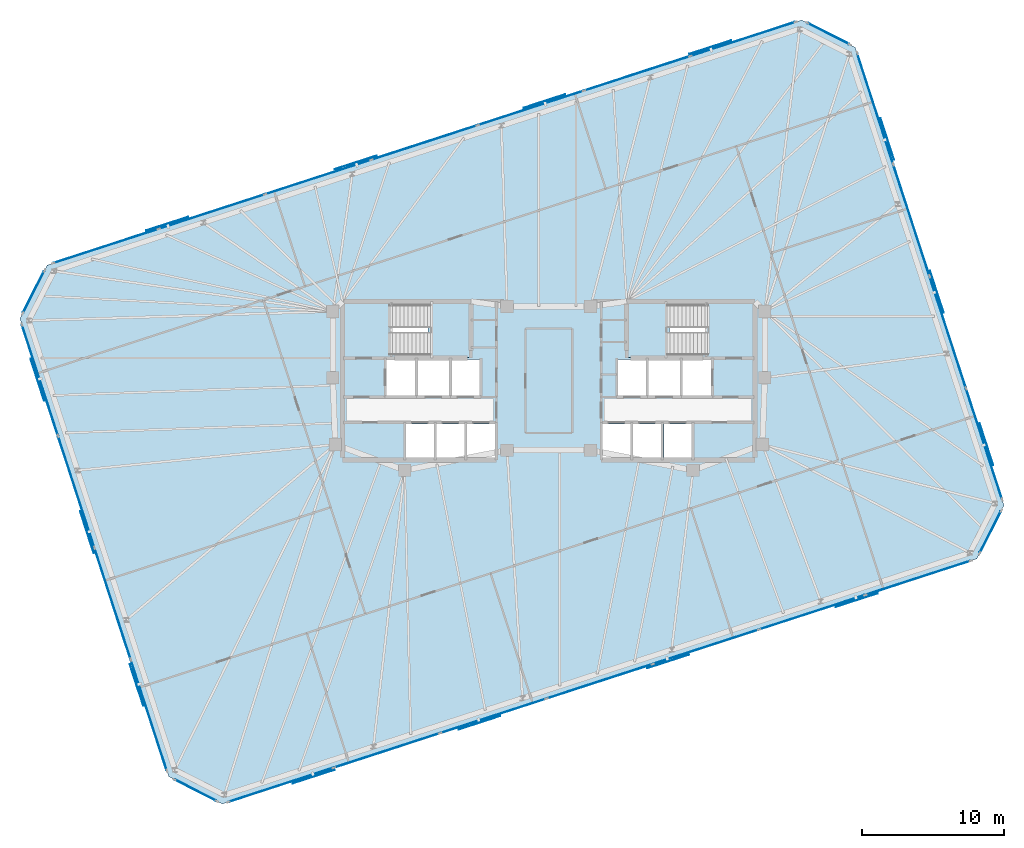
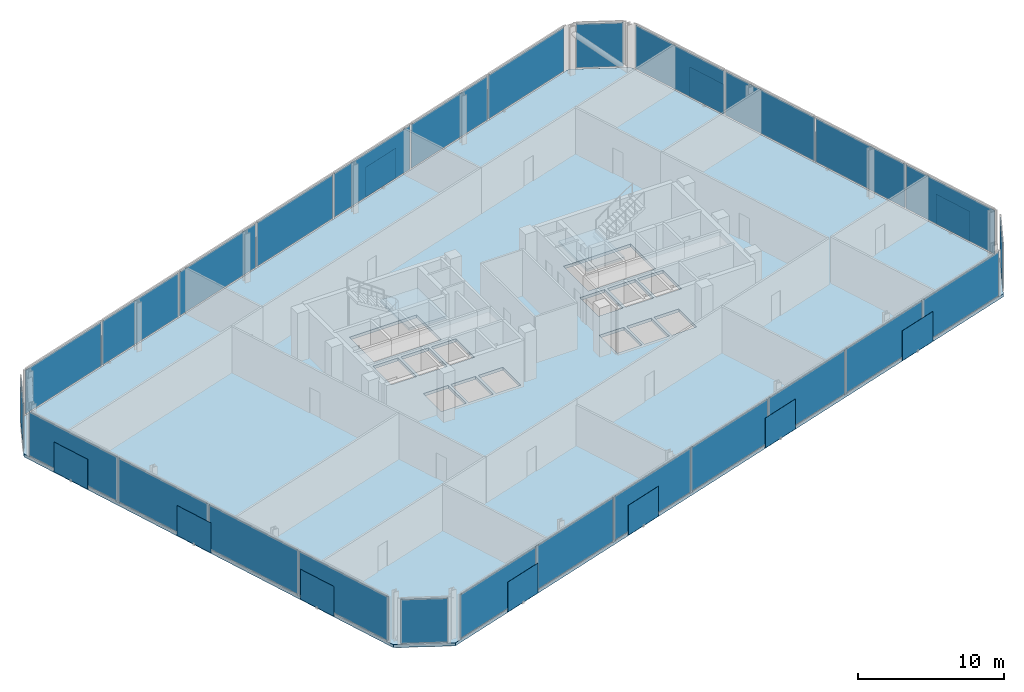
# One storey, part 9 of 14: 40 plates, 3 slabs, 10 elements without a shape of their own.
"""IFC4 building model written with IfcOpenShell, lengths in metres."""

from ifc_helpers import new_model, si_unit, direction, frame, origin, origin_2d, place, context, subcontext, project, spatial, polyline, rectangle, outline, extrude, material, layer, layer_set, type_object, element, aggregate, save


model = new_model("IFC4")

# Units and contexts
model_context = context("Model", 3, precision=1e-05, world=origin(), true_north=direction((0.0, 1.0)))
body_context = subcontext(model_context, "Body", "Model", "MODEL_VIEW")
ifc_project = project(units=[si_unit("LENGTHUNIT", "METRE"), si_unit("AREAUNIT", "SQUARE_METRE"), si_unit("VOLUMEUNIT", "CUBIC_METRE"), si_unit("PLANEANGLEUNIT", "RADIAN"), si_unit("MASSUNIT", "GRAM", prefix="KILO")], contexts=[model_context])

# Site, building, storey
site_placement = place(None, origin())
site = spatial("IfcSite", under=ifc_project, at=site_placement, CompositionType="ELEMENT")
building_placement = place(site_placement, origin())
building = spatial("IfcBuilding", under=site, at=building_placement, Name="Menara Jurai Vektor", CompositionType="ELEMENT")
storey_placement = place(building_placement, frame((0.0, 0.0, 206.800048828125)))
storey = spatial("IfcBuildingStorey", under=building, at=storey_placement, Name="L54", CompositionType="ELEMENT", Elevation=206.800048828125)

# Curtain wall, plate
ifc_material_1 = material(Name="Anodised Pale Aluminium & Low-E Double Glazing", Category="aluminium")
curtain_wall_type = type_object("IfcCurtainWallType", Name="CW-SKY", PredefinedType="NOTDEFINED", material=ifc_material_1)
curtain_wall_1_placement = place(storey_placement, origin())
curtain_wall_1 = element("IfcCurtainWall", 1, at=curtain_wall_1_placement, inside=storey, type_object=curtain_wall_type, Name="Unitised Curtain Wall L54 F02", PredefinedType="NOTDEFINED")
ifc_material_2 = material(Name="Insulated Pale Aluminium Spandrel Panel", Category="aluminium")
ifc_layer_1 = layer(ifc_material_2, 0.06005859375)
ifc_layer_set_1 = layer_set([ifc_layer_1], Name="Insulated Pale Aluminium Spandrel Panel")
plate_type_1 = type_object("IfcPlateType", Name="CW-PNL-SP", PredefinedType="CURTAIN_PANEL", material=ifc_layer_set_1)
plate_1_placement = place(storey_placement, frame((31.1728515625, -10.678466796875, 0.10986328125), z_axis=(0.0, 0.0, 1.0), x_axis=(0.453988579828, 0.89100750243, 0.0)))
plate_1 = element("IfcPlate", 2, at=plate_1_placement, type_object=plate_type_1, Name="CW-06 panel 1.1", PredefinedType="CURTAIN_PANEL", context=body_context, shape_type="SweptSolid", body=[
    extrude(rectangle(XDim=3.2626953125, YDim=0.06005859375, at=origin_2d()), origin(), (0.0, 0.0, 1.0), 3.655029296875),
])
aggregate(curtain_wall_1, [plate_1])

curtain_wall_2_placement = place(storey_placement, origin())
curtain_wall_2 = element("IfcCurtainWall", 3, at=curtain_wall_2_placement, inside=storey, type_object=curtain_wall_type, Name="Unitised Curtain Wall L54 F04", PredefinedType="NOTDEFINED")
plate_2_placement = place(storey_placement, frame((19.7392578125, 24.510498046875, 0.10986328125), z_axis=(0.0, 0.0, 1.0), x_axis=(-0.89100750243, 0.453988579828, 0.0)))
plate_2 = element("IfcPlate", 4, at=plate_2_placement, type_object=plate_type_1, Name="CW-06 panel 1.1", PredefinedType="CURTAIN_PANEL", context=body_context, shape_type="SweptSolid", body=[
    extrude(rectangle(XDim=3.2626953125, YDim=0.06005859375, at=origin_2d()), origin(), (0.0, 0.0, 1.0), 3.655029296875),
])
aggregate(curtain_wall_2, [plate_2])

curtain_wall_3_placement = place(storey_placement, origin())
curtain_wall_3 = element("IfcCurtainWall", 5, at=curtain_wall_3_placement, inside=storey, type_object=curtain_wall_type, Name="Unitised Curtain Wall L54 F06", PredefinedType="NOTDEFINED")
plate_3_placement = place(storey_placement, frame((-36.373046875, 6.278564453125, 0.10986328125), z_axis=(0.0, 0.0, 1.0), x_axis=(-0.453988579828, -0.89100750243, 0.0)))
plate_3 = element("IfcPlate", 6, at=plate_3_placement, type_object=plate_type_1, Name="CW-06 panel 1.1", PredefinedType="CURTAIN_PANEL", context=body_context, shape_type="SweptSolid", body=[
    extrude(rectangle(XDim=3.2626953125, YDim=0.06005859375, at=origin_2d()), origin(), (0.0, 0.0, 1.0), 3.655029296875),
])
aggregate(curtain_wall_3, [plate_3])

curtain_wall_4_placement = place(storey_placement, origin())
curtain_wall_4 = element("IfcCurtainWall", 7, at=curtain_wall_4_placement, inside=storey, type_object=curtain_wall_type, Name="Unitised Curtain Wall L54 F08", PredefinedType="NOTDEFINED")
plate_4_placement = place(storey_placement, frame((-24.939453125, -28.91064453125, 0.10986328125), z_axis=(0.0, 0.0, 1.0), x_axis=(0.89100750243, -0.453988579828, 0.0)))
plate_4 = element("IfcPlate", 8, at=plate_4_placement, type_object=plate_type_1, Name="CW-06 panel 1.1", PredefinedType="CURTAIN_PANEL", context=body_context, shape_type="SweptSolid", body=[
    extrude(rectangle(XDim=3.2626953125, YDim=0.06005859375, at=origin_2d()), origin(), (0.0, 0.0, 1.0), 3.655029296875),
])
aggregate(curtain_wall_4, [plate_4])

# Curtain wall, plates
curtain_wall_5_placement = place(storey_placement, origin())
curtain_wall_5 = element("IfcCurtainWall", 9, at=curtain_wall_5_placement, inside=storey, type_object=curtain_wall_type, Name="Unitised Curtain Wall L54 F01", PredefinedType="NOTDEFINED")
ifc_material_3 = material(Name="Low-E Solar-Control Double Glazed Unit", Category="glass")
ifc_layer_2 = layer(ifc_material_3, 0.0419921875)
ifc_layer_set_2 = layer_set([ifc_layer_2], Name="Low-E Solar-Control Double Glazed Unit")
plate_type_2 = type_object("IfcPlateType", Name="CW-SKY-PNL", PredefinedType="CURTAIN_PANEL", material=ifc_layer_set_2)
plate_5_placement = place(storey_placement, frame((-18.908935546875, -28.5283203125, 0.10986328125), z_axis=(0.0, 0.0, 1.0), x_axis=(0.951056402641, 0.309017344167, 0.0)))
plate_5 = element("IfcPlate", 10, at=plate_5_placement, type_object=plate_type_2, Name="CW-06 panel 1.1", PredefinedType="CURTAIN_PANEL", context=body_context, shape_type="SweptSolid", body=[
    extrude(rectangle(XDim=7.726318359375, YDim=0.0419921875, at=origin_2d()), origin(), (0.0, 0.0, 1.0), 3.655029296875),
])
plate_6_placement = place(storey_placement, frame((-11.429931640625, -26.098388671875, 0.10986328125), z_axis=(0.0, 0.0, 1.0), x_axis=(0.951056402641, 0.309017344167, 0.0)))
plate_6 = element("IfcPlate", 11, at=plate_6_placement, type_object=plate_type_2, Name="CW-06 panel 2.1", PredefinedType="CURTAIN_PANEL", context=body_context, shape_type="SweptSolid", body=[
    extrude(rectangle(XDim=7.781494140625, YDim=0.0419921875, at=origin_2d()), origin(), (0.0, 0.0, 1.0), 3.655029296875),
])
plate_7_placement = place(storey_placement, frame((-3.9248046875, -23.65966796875, 0.10986328125), z_axis=(0.0, 0.0, 1.0), x_axis=(0.951056402641, 0.309017344167, 0.0)))
plate_7 = element("IfcPlate", 12, at=plate_7_placement, type_object=plate_type_2, Name="CW-06 panel 3.1", PredefinedType="CURTAIN_PANEL", context=body_context, shape_type="SweptSolid", body=[
    extrude(rectangle(XDim=7.781494140625, YDim=0.0419921875, at=origin_2d()), origin(), (0.0, 0.0, 1.0), 3.655029296875),
])
plate_8_placement = place(storey_placement, frame((3.580322265625, -21.22119140625, 0.10986328125), z_axis=(0.0, 0.0, 1.0), x_axis=(0.951056402641, 0.309017344167, 0.0)))
plate_8 = element("IfcPlate", 13, at=plate_8_placement, type_object=plate_type_2, Name="CW-06 panel 4.1", PredefinedType="CURTAIN_PANEL", context=body_context, shape_type="SweptSolid", body=[
    extrude(rectangle(XDim=7.781494140625, YDim=0.0419921875, at=origin_2d()), origin(), (0.0, 0.0, 1.0), 3.655029296875),
])
plate_9_placement = place(storey_placement, frame((11.08544921875, -18.782470703125, 0.10986328125), z_axis=(0.0, 0.0, 1.0), x_axis=(0.951056402641, 0.309017344167, 0.0)))
plate_9 = element("IfcPlate", 14, at=plate_9_placement, type_object=plate_type_2, Name="CW-06 panel 5.1", PredefinedType="CURTAIN_PANEL", context=body_context, shape_type="SweptSolid", body=[
    extrude(rectangle(XDim=7.781494140625, YDim=0.0419921875, at=origin_2d()), origin(), (0.0, 0.0, 1.0), 3.655029296875),
])
plate_10_placement = place(storey_placement, frame((18.5908203125, -16.343994140625, 0.10986328125), z_axis=(0.0, 0.0, 1.0), x_axis=(0.951056402641, 0.309017344167, 0.0)))
plate_10 = element("IfcPlate", 15, at=plate_10_placement, type_object=plate_type_2, Name="CW-06 panel 6.1", PredefinedType="CURTAIN_PANEL", context=body_context, shape_type="SweptSolid", body=[
    extrude(rectangle(XDim=7.781494140625, YDim=0.0419921875, at=origin_2d()), origin(), (0.0, 0.0, 1.0), 3.655029296875),
])
plate_11_placement = place(storey_placement, frame((26.06982421875, -13.913818359375, 0.10986328125), z_axis=(0.0, 0.0, 1.0), x_axis=(0.951056402641, 0.309017344167, 0.0)))
plate_11 = element("IfcPlate", 16, at=plate_11_placement, type_object=plate_type_2, Name="CW-06 panel 7.1", PredefinedType="CURTAIN_PANEL", context=body_context, shape_type="SweptSolid", body=[
    extrude(rectangle(XDim=7.726318359375, YDim=0.0419921875, at=origin_2d()), origin(), (0.0, 0.0, 1.0), 3.655029296875),
])
aggregate(curtain_wall_5, [plate_5, plate_6, plate_7, plate_8, plate_9, plate_10, plate_11])

curtain_wall_6_placement = place(storey_placement, origin())
curtain_wall_6 = element("IfcCurtainWall", 17, at=curtain_wall_6_placement, inside=storey, type_object=curtain_wall_type, Name="Unitised Curtain Wall L54 F03", PredefinedType="NOTDEFINED")
plate_12_placement = place(storey_placement, frame((30.72607421875, -4.44921875, 0.10986328125), z_axis=(0.0, 0.0, 1.0), x_axis=(-0.309016481464, 0.95105668295, 0.0)))
plate_12 = element("IfcPlate", 18, at=plate_12_placement, type_object=plate_type_2, Name="CW-06 panel 1.1", PredefinedType="CURTAIN_PANEL", context=body_context, shape_type="SweptSolid", body=[
    extrude(rectangle(XDim=8.14501953125, YDim=0.0419921875, at=origin_2d()), origin(), (0.0, 0.0, 1.0), 3.655029296875),
])
plate_13_placement = place(storey_placement, frame((28.166748046875, 3.427978515625, 0.10986328125), z_axis=(0.0, 0.0, 1.0), x_axis=(-0.309016481464, 0.95105668295, 0.0)))
plate_13 = element("IfcPlate", 19, at=plate_13_placement, type_object=plate_type_2, Name="CW-06 panel 2.1", PredefinedType="CURTAIN_PANEL", context=body_context, shape_type="SweptSolid", body=[
    extrude(rectangle(XDim=8.199951171875, YDim=0.0419921875, at=origin_2d()), origin(), (0.0, 0.0, 1.0), 3.655029296875),
])
plate_14_placement = place(storey_placement, frame((25.598876953125, 11.331298828125, 0.10986328125), z_axis=(0.0, 0.0, 1.0), x_axis=(-0.309016481464, 0.95105668295, 0.0)))
plate_14 = element("IfcPlate", 20, at=plate_14_placement, type_object=plate_type_2, Name="CW-06 panel 3.1", PredefinedType="CURTAIN_PANEL", context=body_context, shape_type="SweptSolid", body=[
    extrude(rectangle(XDim=8.199951171875, YDim=0.0419921875, at=origin_2d()), origin(), (0.0, 0.0, 1.0), 3.655029296875),
])
plate_15_placement = place(storey_placement, frame((23.039306640625, 19.208251953125, 0.10986328125), z_axis=(0.0, 0.0, 1.0), x_axis=(-0.309016481464, 0.95105668295, 0.0)))
plate_15 = element("IfcPlate", 21, at=plate_15_placement, type_object=plate_type_2, Name="CW-06 panel 4.1", PredefinedType="CURTAIN_PANEL", context=body_context, shape_type="SweptSolid", body=[
    extrude(rectangle(XDim=8.14501953125, YDim=0.0419921875, at=origin_2d()), origin(), (0.0, 0.0, 1.0), 3.655029296875),
])
aggregate(curtain_wall_6, [plate_12, plate_13, plate_14, plate_15])

curtain_wall_7_placement = place(storey_placement, origin())
curtain_wall_7 = element("IfcCurtainWall", 22, at=curtain_wall_7_placement, inside=storey, type_object=curtain_wall_type, Name="Unitised Curtain Wall L54 F05", PredefinedType="NOTDEFINED")
plate_16_placement = place(storey_placement, frame((13.708984375, 24.12841796875, 0.10986328125), z_axis=(0.0, 0.0, 1.0), x_axis=(-0.951056402641, -0.309017344167, 0.0)))
plate_16 = element("IfcPlate", 23, at=plate_16_placement, type_object=plate_type_2, Name="CW-06 panel 1.1", PredefinedType="CURTAIN_PANEL", context=body_context, shape_type="SweptSolid", body=[
    extrude(rectangle(XDim=7.726318359375, YDim=0.0419921875, at=origin_2d()), origin(), (0.0, 0.0, 1.0), 3.655029296875),
])
plate_17_placement = place(storey_placement, frame((6.22998046875, 21.6982421875, 0.10986328125), z_axis=(0.0, 0.0, 1.0), x_axis=(-0.951056402641, -0.309017344167, 0.0)))
plate_17 = element("IfcPlate", 24, at=plate_17_placement, type_object=plate_type_2, Name="CW-06 panel 2.1", PredefinedType="CURTAIN_PANEL", context=body_context, shape_type="SweptSolid", body=[
    extrude(rectangle(XDim=7.781494140625, YDim=0.0419921875, at=origin_2d()), origin(), (0.0, 0.0, 1.0), 3.655029296875),
])
plate_18_placement = place(storey_placement, frame((-1.275146484375, 19.259765625, 0.10986328125), z_axis=(0.0, 0.0, 1.0), x_axis=(-0.951056402641, -0.309017344167, 0.0)))
plate_18 = element("IfcPlate", 25, at=plate_18_placement, type_object=plate_type_2, Name="CW-06 panel 3.1", PredefinedType="CURTAIN_PANEL", context=body_context, shape_type="SweptSolid", body=[
    extrude(rectangle(XDim=7.781494140625, YDim=0.0419921875, at=origin_2d()), origin(), (0.0, 0.0, 1.0), 3.655029296875),
])
plate_19_placement = place(storey_placement, frame((-8.7802734375, 16.821044921875, 0.10986328125), z_axis=(0.0, 0.0, 1.0), x_axis=(-0.951056402641, -0.309017344167, 0.0)))
plate_19 = element("IfcPlate", 26, at=plate_19_placement, type_object=plate_type_2, Name="CW-06 panel 4.1", PredefinedType="CURTAIN_PANEL", context=body_context, shape_type="SweptSolid", body=[
    extrude(rectangle(XDim=7.781494140625, YDim=0.0419921875, at=origin_2d()), origin(), (0.0, 0.0, 1.0), 3.655029296875),
])
plate_20_placement = place(storey_placement, frame((-16.28564453125, 14.382568359375, 0.10986328125), z_axis=(0.0, 0.0, 1.0), x_axis=(-0.951056402641, -0.309017344167, 0.0)))
plate_20 = element("IfcPlate", 27, at=plate_20_placement, type_object=plate_type_2, Name="CW-06 panel 5.1", PredefinedType="CURTAIN_PANEL", context=body_context, shape_type="SweptSolid", body=[
    extrude(rectangle(XDim=7.781494140625, YDim=0.0419921875, at=origin_2d()), origin(), (0.0, 0.0, 1.0), 3.655029296875),
])
plate_21_placement = place(storey_placement, frame((-23.790771484375, 11.944091796875, 0.10986328125), z_axis=(0.0, 0.0, 1.0), x_axis=(-0.951056402641, -0.309017344167, 0.0)))
plate_21 = element("IfcPlate", 28, at=plate_21_placement, type_object=plate_type_2, Name="CW-06 panel 6.1", PredefinedType="CURTAIN_PANEL", context=body_context, shape_type="SweptSolid", body=[
    extrude(rectangle(XDim=7.781494140625, YDim=0.0419921875, at=origin_2d()), origin(), (0.0, 0.0, 1.0), 3.655029296875),
])
plate_22_placement = place(storey_placement, frame((-31.269775390625, 9.513916015625, 0.10986328125), z_axis=(0.0, 0.0, 1.0), x_axis=(-0.951056402641, -0.309017344167, 0.0)))
plate_22 = element("IfcPlate", 29, at=plate_22_placement, type_object=plate_type_2, Name="CW-06 panel 7.1", PredefinedType="CURTAIN_PANEL", context=body_context, shape_type="SweptSolid", body=[
    extrude(rectangle(XDim=7.726318359375, YDim=0.0419921875, at=origin_2d()), origin(), (0.0, 0.0, 1.0), 3.655029296875),
])
aggregate(curtain_wall_7, [plate_16, plate_17, plate_18, plate_19, plate_20, plate_21, plate_22])

curtain_wall_8_placement = place(storey_placement, origin())
curtain_wall_8 = element("IfcCurtainWall", 30, at=curtain_wall_8_placement, inside=storey, type_object=curtain_wall_type, Name="Unitised Curtain Wall L54 F07", PredefinedType="NOTDEFINED")
plate_23_placement = place(storey_placement, frame((-35.926025390625, 0.04931640625, 0.10986328125), z_axis=(0.0, 0.0, 1.0), x_axis=(0.309016481464, -0.95105668295, 0.0)))
plate_23 = element("IfcPlate", 31, at=plate_23_placement, type_object=plate_type_2, Name="CW-06 panel 1.1", PredefinedType="CURTAIN_PANEL", context=body_context, shape_type="SweptSolid", body=[
    extrude(rectangle(XDim=8.14501953125, YDim=0.0419921875, at=origin_2d()), origin(), (0.0, 0.0, 1.0), 3.655029296875),
])
plate_24_placement = place(storey_placement, frame((-33.36669921875, -7.827880859375, 0.10986328125), z_axis=(0.0, 0.0, 1.0), x_axis=(0.309016481464, -0.95105668295, 0.0)))
plate_24 = element("IfcPlate", 32, at=plate_24_placement, type_object=plate_type_2, Name="CW-06 panel 2.1", PredefinedType="CURTAIN_PANEL", context=body_context, shape_type="SweptSolid", body=[
    extrude(rectangle(XDim=8.199951171875, YDim=0.0419921875, at=origin_2d()), origin(), (0.0, 0.0, 1.0), 3.655029296875),
])
plate_25_placement = place(storey_placement, frame((-30.798828125, -15.731201171875, 0.10986328125), z_axis=(0.0, 0.0, 1.0), x_axis=(0.309016481464, -0.95105668295, 0.0)))
plate_25 = element("IfcPlate", 33, at=plate_25_placement, type_object=plate_type_2, Name="CW-06 panel 3.1", PredefinedType="CURTAIN_PANEL", context=body_context, shape_type="SweptSolid", body=[
    extrude(rectangle(XDim=8.199951171875, YDim=0.0419921875, at=origin_2d()), origin(), (0.0, 0.0, 1.0), 3.655029296875),
])
plate_26_placement = place(storey_placement, frame((-28.2392578125, -23.6083984375, 0.10986328125), z_axis=(0.0, 0.0, 1.0), x_axis=(0.309016481464, -0.95105668295, 0.0)))
plate_26 = element("IfcPlate", 34, at=plate_26_placement, type_object=plate_type_2, Name="CW-06 panel 4.1", PredefinedType="CURTAIN_PANEL", context=body_context, shape_type="SweptSolid", body=[
    extrude(rectangle(XDim=8.14501953125, YDim=0.0419921875, at=origin_2d()), origin(), (0.0, 0.0, 1.0), 3.655029296875),
])
aggregate(curtain_wall_8, [plate_23, plate_24, plate_25, plate_26])

# Plates
ifc_material_4 = material(Name="Anodised Pale Aluminium Perforated Screen", Category="aluminium")
ifc_layer_3 = layer(ifc_material_4, 0.02197265625)
ifc_layer_set_3 = layer_set([ifc_layer_3], Name="Anodised Pale Aluminium Perforated Screen")
plate_type_3 = type_object("IfcPlateType", Name="ENV-PLT-SCREEN-HI", PredefinedType="USERDEFINED", material=ifc_layer_set_3)
for number, where, z_axis, x_axis, name in (
    (35, (-16.608642578125, -27.94921875, -0.050048828125), (0.0, 0.0, 1.0), (0.951056516295, 0.309016994375, 0.0), "Perforated Pale-Metal Solar Screen L54-S01"),
    (36, (-4.8916015625, -24.14208984375, -0.050048828125), (0.0, 0.0, 1.0), (0.951056516295, 0.309016994375, 0.0), "Perforated Pale-Metal Solar Screen L54-S02"),
    (37, (8.423095703125, -19.81591796875, -0.050048828125), (0.0, 0.0, 1.0), (0.951056516295, 0.309016994375, 0.0), "Perforated Pale-Metal Solar Screen L54-S03"),
    (38, (21.73779296875, -15.48974609375, -0.050048828125), (0.0, 0.0, 1.0), (0.951056516295, 0.309016994375, 0.0), "Perforated Pale-Metal Solar Screen L54-S04"),
    (39, (30.90478515625, -4.4814453125, -0.050048828125), (0.0, 0.0, 1.0), (-0.309016994375, 0.951056516295, 0.0), "Perforated Pale-Metal Solar Screen L54-S05"),
    (40, (27.402587890625, 6.297119140625, -0.050048828125), (0.0, 0.0, 1.0), (-0.309016994375, 0.951056516295, 0.0), "Perforated Pale-Metal Solar Screen L54-S06"),
    (41, (23.900390625, 17.075927734375, -0.050048828125), (0.0, 0.0, 1.0), (-0.309016994375, 0.951056516295, 0.0), "Perforated Pale-Metal Solar Screen L54-S07"),
    (42, (11.40869140625, 23.54931640625, -0.050048828125), (0.0, 0.0, 1.0), (-0.951056516295, -0.309016994375, 0.0), "Perforated Pale-Metal Solar Screen L54-S08"),
    (43, (-0.308349609375, 19.7421875, -0.050048828125), (0.0, 0.0, 1.0), (-0.951056516295, -0.309016994375, 0.0), "Perforated Pale-Metal Solar Screen L54-S09"),
    (44, (-13.623046875, 15.416015625, -0.050048828125), (0.0, 0.0, 1.0), (-0.951056516295, -0.309016994375, 0.0), "Perforated Pale-Metal Solar Screen L54-S10"),
    (45, (-26.93798828125, 11.089599609375, -0.050048828125), (0.0, 0.0, 1.0), (-0.951056516295, -0.309016994375, 0.0), "Perforated Pale-Metal Solar Screen L54-S11"),
    (46, (-36.104736328125, 0.081298828125, -0.050048828125), (0.0, 0.0, 1.0), (0.309016994375, -0.951056516295, 0.0), "Perforated Pale-Metal Solar Screen L54-S12"),
    (47, (-32.6025390625, -10.697265625, -0.050048828125), (0.0, 0.0, 1.0), (0.309016994375, -0.951056516295, 0.0), "Perforated Pale-Metal Solar Screen L54-S13"),
    (48, (-29.1005859375, -21.475830078125, -0.050048828125), (0.0, 0.0, 1.0), (0.309016994375, -0.951056516295, 0.0), "Perforated Pale-Metal Solar Screen L54-S14"),
):
    element("IfcPlate", number, at=place(storey_placement, frame(where, z_axis=z_axis, x_axis=x_axis)), inside=storey, type_object=plate_type_3, Name=name, ObjectType="SCREEN", PredefinedType="USERDEFINED", context=body_context, shape_type="SweptSolid", body=[
        extrude(rectangle(XDim=3.10009765625, YDim=0.02197265625, at=origin_2d()), origin(), (0.0, 0.0, 1.0), 2.5),
    ])

# Stair, slab
ifc_material_5 = material(Name="Concrete C40/50", Category="concrete")
stair_type = type_object("IfcStairType", Name="STAIR-DOGLEG-1500", PredefinedType="HALF_TURN_STAIR", material=ifc_material_5)
stair_1_placement = place(storey_placement, origin())
stair_1 = element("IfcStair", 49, at=stair_1_placement, inside=storey, type_object=stair_type, Name="Protected Exit Stair ST1 L54", PredefinedType="HALF_TURN_STAIR")
ifc_layer_4 = layer(ifc_material_5, 0.199951171875)
ifc_layer_set_4 = layer_set([ifc_layer_4], Name="Concrete C40/50")
slab_type_1 = type_object("IfcSlabType", Name="STAIR-LANDING-200", PredefinedType="LANDING", material=ifc_layer_set_4)
slab_1_placement = place(storey_placement, frame((0.0, 0.0, 1.849853515625)))
slab_1 = element("IfcSlab", 50, at=slab_1_placement, type_object=slab_type_1, Name="ST1 landing 1", PredefinedType="LANDING", context=body_context, shape_type="SweptSolid", body=[
    extrude(outline(polyline([(-8.52001953125, 1.64990234375), (-5.550048828125, 1.64990234375), (-5.550048828125, 5.550048828125), (-8.52001953125, 5.550048828125), (-8.52001953125, 1.64990234375)])), origin(), (0.0, 0.0, 1.0), 0.2001953125),
])
aggregate(stair_1, [slab_1])

stair_2_placement = place(storey_placement, origin())
stair_2 = element("IfcStair", 51, at=stair_2_placement, inside=storey, type_object=stair_type, Name="Protected Exit Stair ST2 L54", PredefinedType="HALF_TURN_STAIR")
slab_2_placement = place(storey_placement, frame((0.0, 0.0, 1.849853515625)))
slab_2 = element("IfcSlab", 52, at=slab_2_placement, type_object=slab_type_1, Name="ST2 landing 1", PredefinedType="LANDING", context=body_context, shape_type="SweptSolid", body=[
    extrude(outline(polyline([(5.550048828125, 1.64990234375), (8.52001953125, 1.64990234375), (8.52001953125, 5.550048828125), (5.550048828125, 5.550048828125), (5.550048828125, 1.64990234375)])), origin(), (0.0, 0.0, 1.0), 0.2001953125),
])
aggregate(stair_2, [slab_2])

# Slab
ifc_layer_5 = layer(ifc_material_5, 0.25)
ifc_layer_set_5 = layer_set([ifc_layer_5], Name="Concrete C40/50")
slab_type_2 = type_object("IfcSlabType", Name="STR-SLAB-SKY250", PredefinedType="FLOOR", material=ifc_layer_set_5)
slab_3_placement = place(storey_placement, frame((0.0, 0.0, -0.25)))
element("IfcSlab", 53, at=slab_3_placement, inside=storey, type_object=slab_type_2, Name="Composite Floor Slab L54", PredefinedType="FLOOR", context=body_context, shape_type="SweptSolid", body=[
    extrude(outline(polyline([(-23.04931640625, -29.87353515625), (30.2099609375, -12.568603515625), (32.135986328125, -8.788330078125), (21.62939453125, 23.547607421875), (17.84912109375, 25.4736328125), (-35.409912109375, 8.168701171875), (-37.3359375, 4.388427734375), (-26.82958984375, -27.947509765625), (-23.04931640625, -29.87353515625)]), holes=[polyline([(-11.10009765625, 1.89990234375), (-11.10009765625, 5.300048828125), (-5.800048828125, 5.300048828125), (-5.800048828125, 1.89990234375), (-11.10009765625, 1.89990234375)]), polyline([(5.800048828125, 1.89990234375), (5.800048828125, 5.300048828125), (11.10009765625, 5.300048828125), (11.10009765625, 1.89990234375), (5.800048828125, 1.89990234375)]), polyline([(-11.449951171875, -1.050048828125), (-11.449951171875, 1.5), (-9.449951171875, 1.5), (-9.449951171875, -1.050048828125), (-11.449951171875, -1.050048828125)]), polyline([(9.449951171875, -1.050048828125), (9.449951171875, 1.5), (11.449951171875, 1.5), (11.449951171875, -1.050048828125), (9.449951171875, -1.050048828125)]), polyline([(-5.760009765625, -5.5), (-5.760009765625, -3.050048828125), (-3.800048828125, -3.050048828125), (-3.800048828125, -5.5), (-5.760009765625, -5.5)]), polyline([(-6.85009765625, -1.050048828125), (-6.85009765625, 1.5), (-4.889892578125, 1.5), (-4.889892578125, -1.050048828125), (-6.85009765625, -1.050048828125)]), polyline([(3.800048828125, -5.5), (3.800048828125, -3.050048828125), (5.760009765625, -3.050048828125), (5.760009765625, -5.5), (3.800048828125, -5.5)]), polyline([(4.889892578125, -1.050048828125), (4.889892578125, 1.5), (6.85009765625, 1.5), (6.85009765625, -1.050048828125), (4.889892578125, -1.050048828125)]), polyline([(-10.080078125, -5.5), (-10.080078125, -3.050048828125), (-8.1201171875, -3.050048828125), (-8.1201171875, -5.5), (-10.080078125, -5.5)]), polyline([(-7.919921875, -5.5), (-7.919921875, -3.050048828125), (-5.9599609375, -3.050048828125), (-5.9599609375, -5.5), (-7.919921875, -5.5)]), polyline([(5.9599609375, -5.5), (5.9599609375, -3.050048828125), (7.919921875, -3.050048828125), (7.919921875, -5.5), (5.9599609375, -5.5)]), polyline([(8.1201171875, -5.5), (8.1201171875, -3.050048828125), (10.080078125, -3.050048828125), (10.080078125, -5.5), (8.1201171875, -5.5)]), polyline([(-9.25, -1.050048828125), (-9.25, 1.5), (-7.050048828125, 1.5), (-7.050048828125, -1.050048828125), (-9.25, -1.050048828125)]), polyline([(7.050048828125, -1.050048828125), (7.050048828125, 1.5), (9.25, 1.5), (9.25, -1.050048828125), (7.050048828125, -1.050048828125)])]), origin(), (0.0, 0.0, 1.0), 0.25),
])

save(model, "model.ifc")
